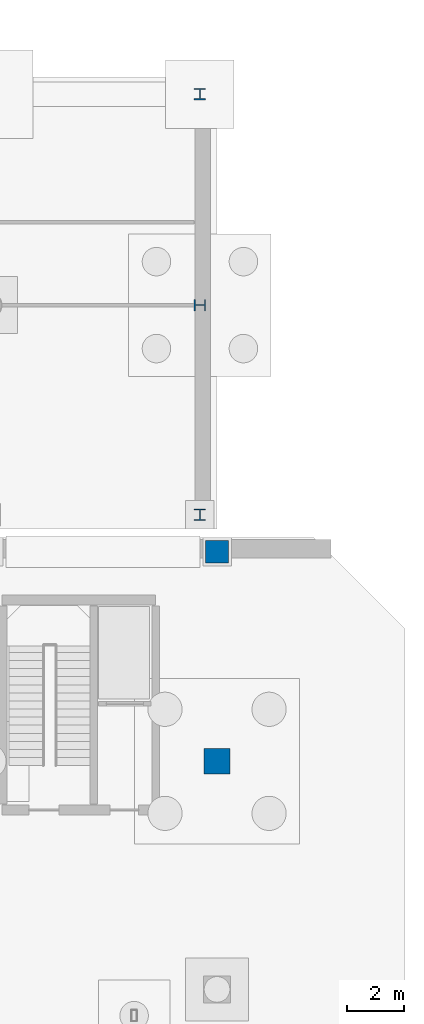
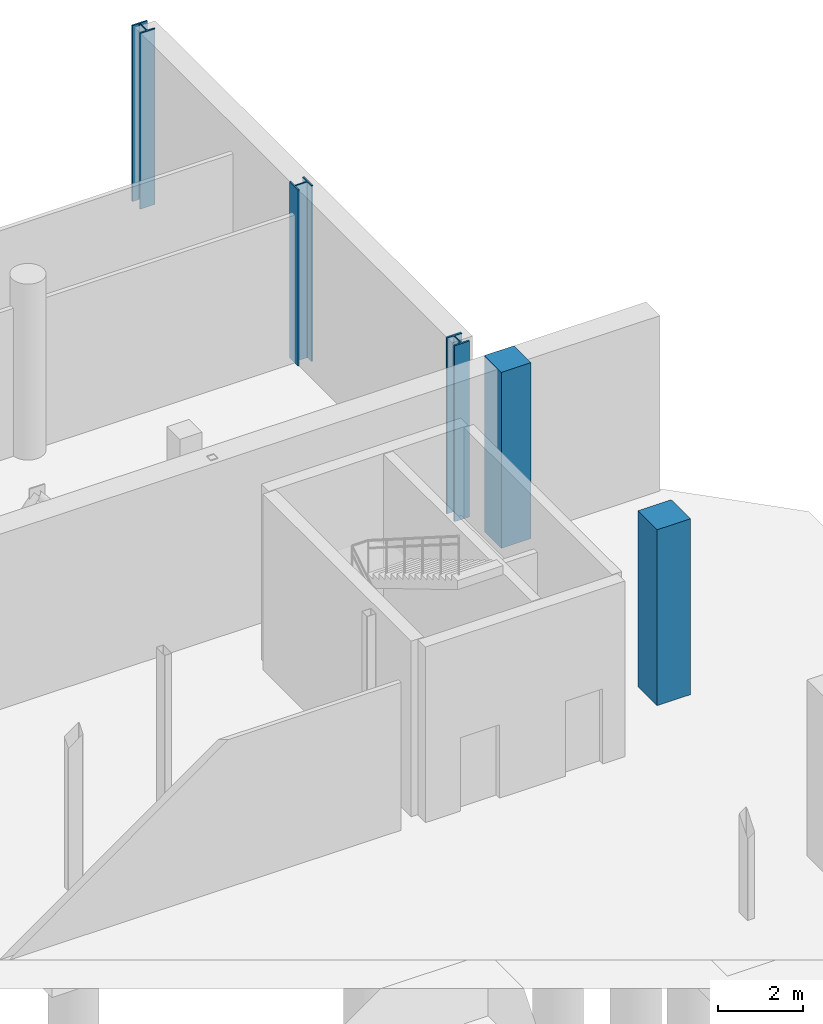
# One storey, part 18 of 33: 5 columns.
"""IFC4 building model written with IfcOpenShell, lengths in metres."""

from ifc_helpers import new_model, si_unit, direction, frame, origin, origin_2d, place, context, subcontext, project, spatial, rectangle, i_section, extrude, material, material_profile, profile_set, type_object, element, save


model = new_model("IFC4")

# Units and contexts
model_context = context("Model", 3, precision=1e-05, world=origin(), true_north=direction((0.0, 1.0)))
body_context = subcontext(model_context, "Body", "Model", "MODEL_VIEW")
ifc_project = project(units=[si_unit("LENGTHUNIT", "METRE"), si_unit("AREAUNIT", "SQUARE_METRE"), si_unit("VOLUMEUNIT", "CUBIC_METRE"), si_unit("PLANEANGLEUNIT", "RADIAN"), si_unit("MASSUNIT", "GRAM", prefix="KILO")], contexts=[model_context])

# Site, building, storey
site_placement = place(None, origin())
site = spatial("IfcSite", under=ifc_project, at=site_placement, CompositionType="ELEMENT")
building_placement = place(site_placement, origin())
building = spatial("IfcBuilding", under=site, at=building_placement, Name="Brisemont Oceanarium", CompositionType="ELEMENT")
storey_placement = place(building_placement, frame((0.0, 0.0, -5.39990234375)))
storey = spatial("IfcBuildingStorey", under=building, at=storey_placement, Name="B01", CompositionType="ELEMENT", Elevation=-5.39990234375)

# Columns
ifc_material_1 = material(Name="Concrete C40/50", Category="concrete")
ifc_material_profile_1 = material_profile(ifc_material_1, rectangle(XDim=0.800048828125, YDim=0.800048828125, at=origin_2d()), Name="RC-COL-800X800")
ifc_profile_set_1 = profile_set([ifc_material_profile_1], Name="Concrete C40/50")
column_type_1 = type_object("IfcColumnType", Name="COL-RC800", PredefinedType="COLUMN", material=ifc_profile_set_1)
column_1_placement = place(storey_placement, frame((104.0, 79.35009765625, 0.0), z_axis=(0.0, 0.0, 1.0), x_axis=(1.0, 0.0, 0.0)))
element("IfcColumn", 1, at=column_1_placement, inside=storey, type_object=column_type_1, Name="V1 B01 column (6,6)", PredefinedType="COLUMN", context=body_context, shape_type="SweptSolid", body=[
    extrude(rectangle(XDim=0.800048828125, YDim=0.800048828125, at=origin_2d()), origin(), (0.0, 0.0, 1.0), 5.039794921875),
])
ifc_material_2 = material(Name="Concrete C40/50", Category="concrete")
ifc_material_profile_2 = material_profile(ifc_material_2, rectangle(XDim=0.89990234375, YDim=0.89990234375, at=origin_2d()), Name="RC-COL-900X900")
ifc_profile_set_2 = profile_set([ifc_material_profile_2], Name="Concrete C40/50")
column_type_2 = type_object("IfcColumnType", Name="COL-RC900", PredefinedType="COLUMN", material=ifc_profile_set_2)
column_2_placement = place(storey_placement, frame((104.0, 72.0, 0.0), z_axis=(0.0, 0.0, 1.0), x_axis=(0.0, 1.0, 0.0)))
element("IfcColumn", 2, at=column_2_placement, inside=storey, type_object=column_type_2, Name="V1 B01 column (6,5)", PredefinedType="COLUMN", context=body_context, shape_type="SweptSolid", body=[
    extrude(rectangle(XDim=0.89990234375, YDim=0.89990234375, at=origin_2d()), origin(), (0.0, 0.0, 1.0), 5.039794921875),
])
ifc_material_3 = material(Name="Structural Steel ASTM A992 Gr.50", Category="steel")
ifc_material_profile_3 = material_profile(ifc_material_3, i_section(OverallWidth=0.40087890625, OverallDepth=0.39892578125, WebThickness=0.02490234375, FlangeThickness=0.03955078125, FilletRadius=0.014892578125, at=origin_2d()), Name="W14X211")
ifc_profile_set_3 = profile_set([ifc_material_profile_3], Name="Structural Steel ASTM A992 Gr.50")
column_type_3 = type_object("IfcColumnType", Name="COL-W14X211", PredefinedType="COLUMN", material=ifc_profile_set_3)
column_3_placement = place(storey_placement, frame((103.39990234375, 95.39990234375, 0.0), z_axis=(0.0, 0.0, 1.0), x_axis=(1.0, 0.0, 0.0)))
element("IfcColumn", 3, at=column_3_placement, inside=storey, type_object=column_type_3, Name="V7E B01 column (6,2)", PredefinedType="COLUMN", context=body_context, shape_type="SweptSolid", body=[
    extrude(i_section(OverallWidth=0.40087890625, OverallDepth=0.39892578125, WebThickness=0.02490234375, FlangeThickness=0.03955078125, FilletRadius=0.014892578125, at=origin_2d()), origin(), (0.0, 0.0, 1.0), 5.039794921875),
])
ifc_material_4 = material(Name="Structural Steel ASTM A992 Gr.50", Category="steel")
ifc_material_profile_4 = material_profile(ifc_material_4, i_section(OverallWidth=0.404052734375, OverallDepth=0.406982421875, WebThickness=0.027099609375, FlangeThickness=0.043701171875, FilletRadius=0.014892578125, at=origin_2d()), Name="W14X233")
ifc_profile_set_4 = profile_set([ifc_material_profile_4], Name="Structural Steel ASTM A992 Gr.50")
column_type_4 = type_object("IfcColumnType", Name="COL-W14X233", PredefinedType="COLUMN", material=ifc_profile_set_4)
column_4_placement = place(storey_placement, frame((103.39990234375, 88.0, 0.0), z_axis=(0.0, 0.0, 1.0), x_axis=(0.0, 1.0, 0.0)))
element("IfcColumn", 4, at=column_4_placement, inside=storey, type_object=column_type_4, Name="V7E B01 column (6,1)", PredefinedType="COLUMN", context=body_context, shape_type="SweptSolid", body=[
    extrude(i_section(OverallWidth=0.404052734375, OverallDepth=0.406982421875, WebThickness=0.027099609375, FlangeThickness=0.043701171875, FilletRadius=0.014892578125, at=origin_2d()), origin(), (0.0, 0.0, 1.0), 5.039794921875),
])
ifc_material_5 = material(Name="Structural Steel ASTM A992 Gr.50", Category="steel")
ifc_material_profile_5 = material_profile(ifc_material_5, i_section(OverallWidth=0.406005859375, OverallDepth=0.416015625, WebThickness=0.02978515625, FlangeThickness=0.048095703125, FilletRadius=0.014892578125, at=origin_2d()), Name="W14X257")
ifc_profile_set_5 = profile_set([ifc_material_profile_5], Name="Structural Steel ASTM A992 Gr.50")
column_type_5 = type_object("IfcColumnType", Name="COL-W14X257", PredefinedType="COLUMN", material=ifc_profile_set_5)
column_5_placement = place(storey_placement, frame((103.39990234375, 80.64990234375, 0.0), z_axis=(0.0, 0.0, 1.0), x_axis=(1.0, 0.0, 0.0)))
element("IfcColumn", 5, at=column_5_placement, inside=storey, type_object=column_type_5, Name="V7E B01 column (6,0)", PredefinedType="COLUMN", context=body_context, shape_type="SweptSolid", body=[
    extrude(i_section(OverallWidth=0.406005859375, OverallDepth=0.416015625, WebThickness=0.02978515625, FlangeThickness=0.048095703125, FilletRadius=0.014892578125, at=origin_2d()), origin(), (0.0, 0.0, 1.0), 5.039794921875),
])

save(model, "model.ifc")
